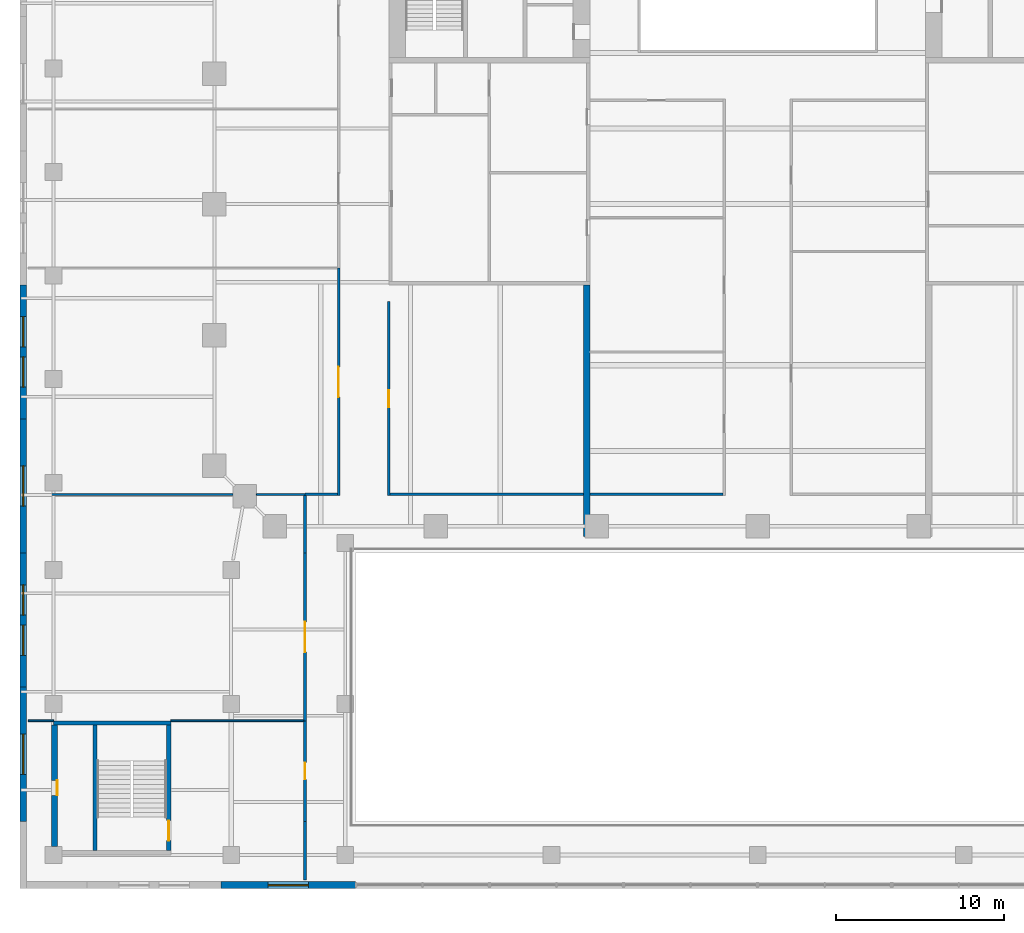
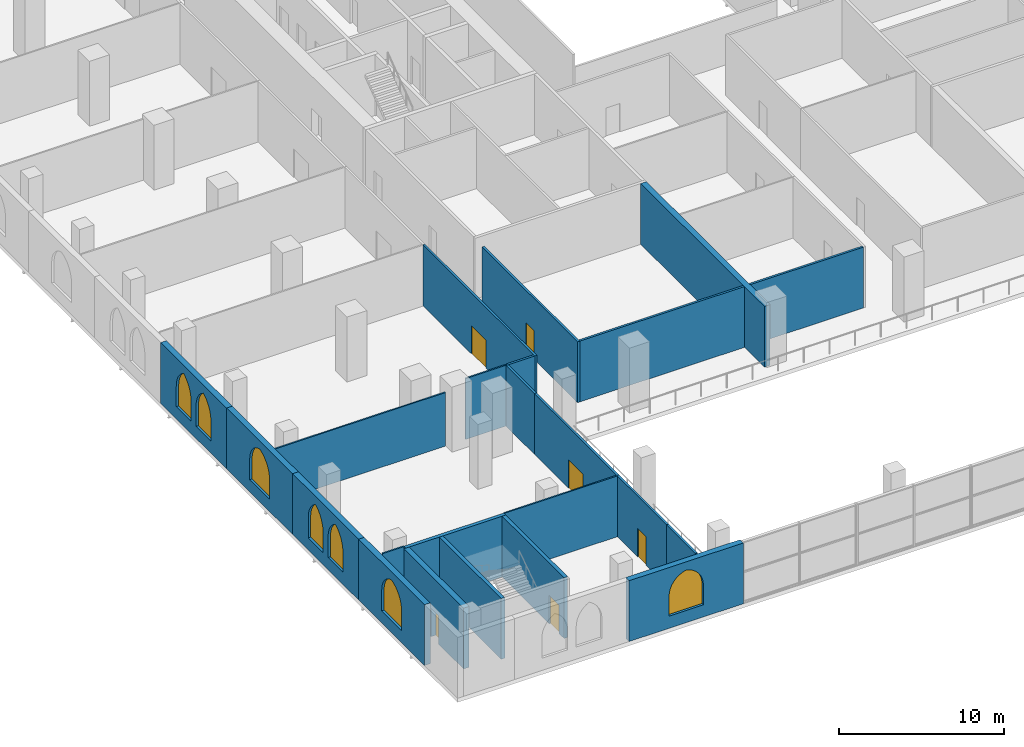
# One storey, part 8 of 19: 23 walls, 7 windows, 6 doors, 13 openings.
"""IFC4 building model written with IfcOpenShell, lengths in metres."""

from ifc_helpers import new_model, si_unit, direction, frame, frame_2d, origin, place, context, subcontext, project, spatial, polyline, rectangle, outline, extrude, material, layer, layer_set, type_object, element, fill, save


model = new_model("IFC4")

# Units and contexts
model_context = context("Model", 3, precision=1e-05, world=origin(), true_north=direction((0.0, 1.0)))
body_context = subcontext(model_context, "Body", "Model", "MODEL_VIEW")
ifc_project = project(units=[si_unit("LENGTHUNIT", "METRE"), si_unit("AREAUNIT", "SQUARE_METRE"), si_unit("VOLUMEUNIT", "CUBIC_METRE"), si_unit("PLANEANGLEUNIT", "RADIAN"), si_unit("MASSUNIT", "GRAM", prefix="KILO")], contexts=[model_context])

# Site, building, storey
site_placement = place(None, origin())
site = spatial("IfcSite", under=ifc_project, at=site_placement, CompositionType="ELEMENT")
building_placement = place(site_placement, origin())
building = spatial("IfcBuilding", under=site, at=building_placement, Name="Ogive Exchange Tower", CompositionType="ELEMENT")
storey_placement = place(building_placement, frame((0.0, 0.0, 24.0)))
storey = spatial("IfcBuildingStorey", under=building, at=storey_placement, Name="L04", CompositionType="ELEMENT", Elevation=24.0)

# Walls
ifc_material_1 = material(Name="Concrete C70/85", Category="concrete")
ifc_layer_1 = layer(ifc_material_1, 0.39990234375)
ifc_layer_set_1 = layer_set([ifc_layer_1], Name="Concrete C70/85 spine wall 400")
wall_type_1 = type_object("IfcWallType", Name="Concrete C70/85 spine wall 400", PredefinedType="SHEAR", material=ifc_layer_set_1)
wall_1_placement = place(storey_placement, frame((-10.199951171875, -31.0, 0.0), z_axis=(0.0, 0.0, 1.0), x_axis=(0.0, 1.0, 0.0)))
element("IfcWall", 1, at=wall_1_placement, inside=storey, type_object=wall_type_1, Name="Spine wall SW", PredefinedType="SHEAR", context=body_context, shape_type="SweptSolid", body=[
    extrude(rectangle(XDim=15.0, YDim=0.39990234375, at=frame_2d((7.5, 0.0))), origin(), (0.0, 0.0, 1.0), 4.5),
])
ifc_material_2 = material(Name="Fire partition EI 60 150")
ifc_layer_2 = layer(ifc_material_2, 0.14990234375)
ifc_layer_set_2 = layer_set([ifc_layer_2], Name="Fire partition EI 60 150")
wall_type_2 = type_object("IfcWallType", Name="Fire partition EI 60 150", PredefinedType="PARTITIONING", material=ifc_layer_set_2)
wall_2_placement = place(storey_placement, frame((-27.0, -28.5, 0.0), z_axis=(0.0, 0.0, 1.0), x_axis=(1.0, 0.0, 0.0)))
element("IfcWall", 2, at=wall_2_placement, inside=storey, type_object=wall_type_2, Name="L04-PWL-007", PredefinedType="PARTITIONING", context=body_context, shape_type="SweptSolid", body=[
    extrude(rectangle(XDim=1.925048828125, YDim=0.14990234375, at=frame_2d((0.96240234375, 0.0))), origin(), (0.0, 0.0, 1.0), 4.5),
])
wall_3_placement = place(storey_placement, frame((-21.925048828125, -28.5, 0.0), z_axis=(0.0, 0.0, 1.0), x_axis=(1.0, 0.0, 0.0)))
element("IfcWall", 3, at=wall_3_placement, inside=storey, type_object=wall_type_2, Name="L04-PWL-008", PredefinedType="PARTITIONING", context=body_context, shape_type="SweptSolid", body=[
    extrude(rectangle(XDim=11.525146484375, YDim=0.14990234375, at=frame_2d((5.7626953125, 0.0))), origin(), (0.0, 0.0, 1.0), 4.5),
])
wall_4_placement = place(storey_placement, frame((-10.0, -28.5, 0.0), z_axis=(0.0, 0.0, 1.0), x_axis=(1.0, 0.0, 0.0)))
element("IfcWall", 4, at=wall_4_placement, inside=storey, type_object=wall_type_2, Name="L04-PWL-009", PredefinedType="PARTITIONING", context=body_context, shape_type="SweptSolid", body=[
    extrude(rectangle(XDim=7.925048828125, YDim=0.14990234375, at=frame_2d((3.96240234375, 0.0))), origin(), (0.0, 0.0, 1.0), 4.5),
])
wall_5_placement = place(storey_placement, frame((-27.0, -51.5, 0.0), z_axis=(0.0, 0.0, 1.0), x_axis=(0.0, 1.0, 0.0)))
element("IfcWall", 5, at=wall_5_placement, inside=storey, type_object=wall_type_2, Name="L04-PWL-040", PredefinedType="PARTITIONING", context=body_context, shape_type="SweptSolid", body=[
    extrude(rectangle(XDim=3.5, YDim=0.14990234375, at=frame_2d((1.75, 0.0))), origin(), (0.0, 0.0, 1.0), 4.5),
])

# Wall, opening, door
wall_6_placement = place(storey_placement, frame((-27.0, -48.0, 0.0), z_axis=(0.0, 0.0, 1.0), x_axis=(0.0, 1.0, 0.0)))
wall_6 = element("IfcWall", 6, at=wall_6_placement, inside=storey, type_object=wall_type_2, Name="L04-PWL-041", PredefinedType="PARTITIONING", context=body_context, shape_type="SweptSolid", body=[
    extrude(rectangle(XDim=6.0, YDim=0.14990234375, at=frame_2d((3.0, 0.0))), origin(), (0.0, 0.0, 1.0), 4.5),
])
opening_1_placement = place(wall_6_placement, frame((2.5, 0.0, 0.0)))
opening_1 = element("IfcOpeningElement", 7, at=opening_1_placement, cuts=wall_6, Name="Opening L04-I14", PredefinedType="OPENING", context=body_context, shape_type="SweptSolid", body=[
    extrude(rectangle(XDim=1.0, YDim=2.10009765625, at=frame_2d((0.5, 1.050048828125))), frame((0.0, 0.0849609375, 0.0), z_axis=(0.0, -1.0, 0.0), x_axis=(1.0, 0.0, 0.0)), (0.0, 0.0, 1.0), 0.169921875),
])
ifc_material_3 = material(Name="Fire door FD 30S 1000 x 2100")
door_type_1 = type_object("IfcDoorType", Name="Fire door FD 30S 1000 x 2100", OperationType="NOTDEFINED", PredefinedType="DOOR", material=ifc_material_3)
door_1_placement = place(opening_1_placement, origin())
door_1 = element("IfcDoor", 8, at=door_1_placement, inside=storey, type_object=door_type_1, Name="L04-IDR-014", ObjectType="DT3", OperationType="SINGLE_SWING_LEFT", OverallHeight=2.10009765625, OverallWidth=1.0, PredefinedType="DOOR", context=body_context, shape_type="SweptSolid", body=[
    extrude(rectangle(XDim=1.0, YDim=2.10009765625, at=frame_2d((0.5, 1.050048828125))), frame((0.0, 0.02490234375, 0.0), z_axis=(0.0, -1.0, 0.0), x_axis=(1.0, 0.0, 0.0)), (0.0, 0.0, 1.0), 0.050048828125),
])
fill(opening_1, door_1)

wall_7_placement = place(storey_placement, frame((-27.0, -42.0, 0.0), z_axis=(0.0, 0.0, 1.0), x_axis=(0.0, 1.0, 0.0)))
wall_7 = element("IfcWall", 9, at=wall_7_placement, inside=storey, type_object=wall_type_2, Name="L04-PWL-042", PredefinedType="PARTITIONING", context=body_context, shape_type="SweptSolid", body=[
    extrude(rectangle(XDim=10.0, YDim=0.14990234375, at=frame_2d((5.0, 0.0))), origin(), (0.0, 0.0, 1.0), 4.5),
])
opening_2_placement = place(wall_7_placement, frame((4.10009765625, 0.0, 0.0)))
opening_2 = element("IfcOpeningElement", 10, at=opening_2_placement, cuts=wall_7, Name="Opening L04-I15", PredefinedType="OPENING", context=body_context, shape_type="SweptSolid", body=[
    extrude(rectangle(XDim=1.800048828125, YDim=2.10009765625, at=frame_2d((0.89990234375, 1.050048828125))), frame((0.0, 0.0849609375, 0.0), z_axis=(0.0, -1.0, 0.0), x_axis=(1.0, 0.0, 0.0)), (0.0, 0.0, 1.0), 0.169921875),
])
ifc_material_4 = material(Name="Fire door FD 30S 1800 x 2100")
door_type_2 = type_object("IfcDoorType", Name="Fire door FD 30S 1800 x 2100", OperationType="DOUBLE_DOOR_SINGLE_SWING", PredefinedType="DOOR", material=ifc_material_4)
door_2_placement = place(opening_2_placement, origin())
door_2 = element("IfcDoor", 11, at=door_2_placement, inside=storey, type_object=door_type_2, Name="L04-IDR-015", ObjectType="DT4", OperationType="SINGLE_SWING_LEFT", OverallHeight=2.10009765625, OverallWidth=1.800048828125, PredefinedType="DOOR", context=body_context, shape_type="SweptSolid", body=[
    extrude(rectangle(XDim=1.800048828125, YDim=2.10009765625, at=frame_2d((0.89990234375, 1.050048828125))), frame((0.0, 0.02490234375, 0.0), z_axis=(0.0, -1.0, 0.0), x_axis=(1.0, 0.0, 0.0)), (0.0, 0.0, 1.0), 0.050048828125),
])
fill(opening_2, door_2)

# Wall
wall_8_placement = place(storey_placement, frame((-27.0, -32.0, 0.0), z_axis=(0.0, 0.0, 1.0), x_axis=(0.0, 1.0, 0.0)))
element("IfcWall", 12, at=wall_8_placement, inside=storey, type_object=wall_type_2, Name="L04-PWL-043", PredefinedType="PARTITIONING", context=body_context, shape_type="SweptSolid", body=[
    extrude(rectangle(XDim=3.425048828125, YDim=0.14990234375, at=frame_2d((1.71240234375, 0.0))), origin(), (0.0, 0.0, 1.0), 4.5),
])

# Wall, opening, door
wall_9_placement = place(storey_placement, frame((-25.0, -28.574951171875, 0.0), z_axis=(0.0, 0.0, 1.0), x_axis=(0.0, 1.0, 0.0)))
wall_9 = element("IfcWall", 13, at=wall_9_placement, inside=storey, type_object=wall_type_2, Name="L04-PWL-044", PredefinedType="PARTITIONING", context=body_context, shape_type="SweptSolid", body=[
    extrude(rectangle(XDim=13.574951171875, YDim=0.14990234375, at=frame_2d((6.78759765625, 0.0))), origin(), (0.0, 0.0, 1.0), 4.5),
])
opening_3_placement = place(wall_9_placement, frame((5.887451171875, 0.0, 0.0)))
opening_3 = element("IfcOpeningElement", 14, at=opening_3_placement, cuts=wall_9, Name="Opening L04-I03", PredefinedType="OPENING", context=body_context, shape_type="SweptSolid", body=[
    extrude(rectangle(XDim=1.800048828125, YDim=2.10009765625, at=frame_2d((0.89990234375, 1.050048828125))), frame((0.0, 0.0849609375, 0.0), z_axis=(0.0, -1.0, 0.0), x_axis=(1.0, 0.0, 0.0)), (0.0, 0.0, 1.0), 0.169921875),
])
door_3_placement = place(opening_3_placement, origin())
door_3 = element("IfcDoor", 15, at=door_3_placement, inside=storey, type_object=door_type_2, Name="L04-IDR-003", ObjectType="DT4", OperationType="SINGLE_SWING_LEFT", OverallHeight=2.10009765625, OverallWidth=1.800048828125, PredefinedType="DOOR", context=body_context, shape_type="SweptSolid", body=[
    extrude(rectangle(XDim=1.800048828125, YDim=2.10009765625, at=frame_2d((0.89990234375, 1.050048828125))), frame((0.0, 0.02490234375, 0.0), z_axis=(0.0, -1.0, 0.0), x_axis=(1.0, 0.0, 0.0)), (0.0, 0.0, 1.0), 0.050048828125),
])
fill(opening_3, door_3)

wall_10_placement = place(storey_placement, frame((-22.0, -28.574951171875, 0.0), z_axis=(0.0, 0.0, 1.0), x_axis=(0.0, 1.0, 0.0)))
wall_10 = element("IfcWall", 16, at=wall_10_placement, inside=storey, type_object=wall_type_2, Name="L04-PWL-050", PredefinedType="PARTITIONING", context=body_context, shape_type="SweptSolid", body=[
    extrude(rectangle(XDim=11.574951171875, YDim=0.14990234375, at=frame_2d((5.78759765625, 0.0))), origin(), (0.0, 0.0, 1.0), 4.5),
])
opening_4_placement = place(wall_10_placement, frame((5.28759765625, 0.0, 0.0)))
opening_4 = element("IfcOpeningElement", 17, at=opening_4_placement, cuts=wall_10, Name="Opening L04-I18", PredefinedType="OPENING", context=body_context, shape_type="SweptSolid", body=[
    extrude(rectangle(XDim=1.0, YDim=2.10009765625, at=frame_2d((0.5, 1.050048828125))), frame((0.0, 0.0849609375, 0.0), z_axis=(0.0, -1.0, 0.0), x_axis=(1.0, 0.0, 0.0)), (0.0, 0.0, 1.0), 0.169921875),
])
door_4_placement = place(opening_4_placement, frame((1.0, 0.0, 0.0), z_axis=(0.0, 0.0, 1.0), x_axis=(-1.0, 0.0, 0.0)))
door_4 = element("IfcDoor", 18, at=door_4_placement, inside=storey, type_object=door_type_1, Name="L04-IDR-018", ObjectType="DT3", OperationType="SINGLE_SWING_LEFT", OverallHeight=2.10009765625, OverallWidth=1.0, PredefinedType="DOOR", context=body_context, shape_type="SweptSolid", body=[
    extrude(rectangle(XDim=1.0, YDim=2.10009765625, at=frame_2d((0.5, 1.050048828125))), frame((0.0, 0.02490234375, 0.0), z_axis=(0.0, -1.0, 0.0), x_axis=(1.0, 0.0, 0.0)), (0.0, 0.0, 1.0), 0.050048828125),
])
fill(opening_4, door_4)

# Wall, opening, window
ifc_material_5 = material(Name="Precast concrete C40/50", Category="concrete")
ifc_layer_3 = layer(ifc_material_5, 0.39990234375)
ifc_layer_set_3 = layer_set([ifc_layer_3], Name="Limestone-faced wall 400")
wall_type_3 = type_object("IfcWallType", Name="Limestone-faced wall 400", PredefinedType="STANDARD", material=ifc_layer_set_3)
wall_11_placement = place(storey_placement, frame((-32.0, -51.800048828125, 0.0), z_axis=(0.0, 0.0, 1.0), x_axis=(1.0, 0.0, 0.0)))
wall_11 = element("IfcWall", 19, at=wall_11_placement, inside=storey, type_object=wall_type_3, Name="Podium wall S3", PredefinedType="STANDARD", context=body_context, shape_type="SweptSolid", body=[
    extrude(rectangle(XDim=8.0, YDim=0.39990234375, at=frame_2d((4.0, 0.0))), origin(), (0.0, 0.0, 1.0), 4.5),
])
opening_5_placement = place(wall_11_placement, frame((2.800048828125, 0.0, 0.89990234375)))
opening_5 = element("IfcOpeningElement", 20, at=opening_5_placement, cuts=wall_11, Name="Opening WP300", PredefinedType="OPENING", context=body_context, shape_type="SweptSolid", body=[
    extrude(outline(polyline([(0.0, 0.0), (2.39990234375, 0.0), (2.39990234375, 1.5), (2.378173828125, 1.758056640625), (2.313232421875, 2.009033203125), (2.207275390625, 2.245361328125), (2.06298828125, 2.46044921875), (1.884765625, 2.6484375), (1.677490234375, 2.8037109375), (1.447021484375, 2.922119140625), (1.199951171875, 3.0), (0.952880859375, 2.922119140625), (0.722412109375, 2.8037109375), (0.51513671875, 2.6484375), (0.3369140625, 2.46044921875), (0.192626953125, 2.245361328125), (0.086669921875, 2.009033203125), (0.021728515625, 1.758056640625), (0.0, 1.5), (0.0, 0.0)])), frame((0.0, 0.2099609375, 0.0), z_axis=(0.0, -1.0, 0.0), x_axis=(1.0, 0.0, 0.0)), (0.0, 0.0, 1.0), 0.419921875),
])
ifc_material_6 = material(Name="Clear glass in bronze frame", Category="glass")
window_type_1 = type_object("IfcWindowType", Name="Podium lancet window 2400 x 3000", PartitioningType="DOUBLE_PANEL_VERTICAL", PredefinedType="WINDOW", material=ifc_material_6)
window_1_placement = place(opening_5_placement, origin())
window_1 = element("IfcWindow", 21, at=window_1_placement, inside=storey, type_object=window_type_1, Name="Podium window S3", OverallHeight=3.0, OverallWidth=2.39990234375, PartitioningType="DOUBLE_PANEL_VERTICAL", PredefinedType="WINDOW", context=body_context, shape_type="SweptSolid", body=[
    extrude(outline(polyline([(0.0, 0.0), (2.39990234375, 0.0), (2.39990234375, 1.5), (2.378173828125, 1.758056640625), (2.313232421875, 2.009033203125), (2.207275390625, 2.245361328125), (2.06298828125, 2.46044921875), (1.884765625, 2.6484375), (1.677490234375, 2.8037109375), (1.447021484375, 2.922119140625), (1.199951171875, 3.0), (0.952880859375, 2.922119140625), (0.722412109375, 2.8037109375), (0.51513671875, 2.6484375), (0.3369140625, 2.46044921875), (0.192626953125, 2.245361328125), (0.086669921875, 2.009033203125), (0.021728515625, 1.758056640625), (0.0, 1.5), (0.0, 0.0)])), frame((0.0, 0.030029296875, 0.0), z_axis=(0.0, -1.0, 0.0), x_axis=(1.0, 0.0, 0.0)), (0.0, 0.0, 1.0), 0.06005859375),
])
fill(opening_5, window_1)

# Wall, openings, windows
wall_12_placement = place(storey_placement, frame((-43.800048828125, -16.0, 0.0), z_axis=(0.0, 0.0, 1.0), x_axis=(0.0, -1.0, 0.0)))
wall_12 = element("IfcWall", 22, at=wall_12_placement, inside=storey, type_object=wall_type_3, Name="Podium wall W8", PredefinedType="STANDARD", context=body_context, shape_type="SweptSolid", body=[
    extrude(rectangle(XDim=8.0, YDim=0.39990234375, at=frame_2d((4.0, 0.0))), origin(), (0.0, 0.0, 1.0), 4.5),
])
opening_6_placement = place(wall_12_placement, frame((1.89990234375, 0.0, 0.89990234375)))
opening_6 = element("IfcOpeningElement", 23, at=opening_6_placement, cuts=wall_12, Name="Opening WQ300", PredefinedType="OPENING", context=body_context, shape_type="SweptSolid", body=[
    extrude(outline(polyline([(0.0, 0.0), (1.800048828125, 0.0), (1.800048828125, 1.5), (1.78466796875, 1.72900390625), (1.73828125, 1.953857421875), (1.662353515625, 2.17041015625), (1.557861328125, 2.374755859375), (1.4267578125, 2.56298828125), (1.271484375, 2.73193359375), (1.0947265625, 2.878662109375), (0.89990234375, 3.0), (0.705322265625, 2.878662109375), (0.528564453125, 2.73193359375), (0.373291015625, 2.56298828125), (0.2421875, 2.374755859375), (0.1376953125, 2.17041015625), (0.061767578125, 1.953857421875), (0.015380859375, 1.72900390625), (0.0, 1.5), (0.0, 0.0)])), frame((0.0, 0.2099609375, 0.0), z_axis=(0.0, -1.0, 0.0), x_axis=(1.0, 0.0, 0.0)), (0.0, 0.0, 1.0), 0.419921875),
])
opening_7_placement = place(wall_12_placement, frame((4.300048828125, 0.0, 0.89990234375)))
opening_7 = element("IfcOpeningElement", 24, at=opening_7_placement, cuts=wall_12, Name="Opening WQ300", PredefinedType="OPENING", context=body_context, shape_type="SweptSolid", body=[
    extrude(outline(polyline([(0.0, 0.0), (1.800048828125, 0.0), (1.800048828125, 1.5), (1.78466796875, 1.72900390625), (1.73828125, 1.953857421875), (1.662353515625, 2.17041015625), (1.557861328125, 2.374755859375), (1.4267578125, 2.56298828125), (1.271484375, 2.73193359375), (1.0947265625, 2.878662109375), (0.89990234375, 3.0), (0.705322265625, 2.878662109375), (0.528564453125, 2.73193359375), (0.373291015625, 2.56298828125), (0.2421875, 2.374755859375), (0.1376953125, 2.17041015625), (0.061767578125, 1.953857421875), (0.015380859375, 1.72900390625), (0.0, 1.5), (0.0, 0.0)])), frame((0.0, 0.2099609375, 0.0), z_axis=(0.0, -1.0, 0.0), x_axis=(1.0, 0.0, 0.0)), (0.0, 0.0, 1.0), 0.419921875),
])
window_type_2 = type_object("IfcWindowType", Name="Podium paired lancet 1800 x 3000", PartitioningType="DOUBLE_PANEL_VERTICAL", PredefinedType="WINDOW", material=ifc_material_6)
window_2_placement = place(opening_6_placement, origin())
window_2 = element("IfcWindow", 25, at=window_2_placement, inside=storey, type_object=window_type_2, Name="Podium paired lancet W8.1", OverallHeight=3.0, OverallWidth=1.800048828125, PartitioningType="DOUBLE_PANEL_VERTICAL", PredefinedType="WINDOW", context=body_context, shape_type="SweptSolid", body=[
    extrude(outline(polyline([(0.0, 0.0), (1.800048828125, 0.0), (1.800048828125, 1.5), (1.78466796875, 1.72900390625), (1.73828125, 1.953857421875), (1.662353515625, 2.17041015625), (1.557861328125, 2.374755859375), (1.4267578125, 2.56298828125), (1.271484375, 2.73193359375), (1.0947265625, 2.878662109375), (0.89990234375, 3.0), (0.705322265625, 2.878662109375), (0.528564453125, 2.73193359375), (0.373291015625, 2.56298828125), (0.2421875, 2.374755859375), (0.1376953125, 2.17041015625), (0.061767578125, 1.953857421875), (0.015380859375, 1.72900390625), (0.0, 1.5), (0.0, 0.0)])), frame((0.0, 0.030029296875, 0.0), z_axis=(0.0, -1.0, 0.0), x_axis=(1.0, 0.0, 0.0)), (0.0, 0.0, 1.0), 0.06005859375),
])
fill(opening_6, window_2)
window_3_placement = place(opening_7_placement, origin())
window_3 = element("IfcWindow", 26, at=window_3_placement, inside=storey, type_object=window_type_2, Name="Podium paired lancet W8.2", OverallHeight=3.0, OverallWidth=1.800048828125, PartitioningType="DOUBLE_PANEL_VERTICAL", PredefinedType="WINDOW", context=body_context, shape_type="SweptSolid", body=[
    extrude(outline(polyline([(0.0, 0.0), (1.800048828125, 0.0), (1.800048828125, 1.5), (1.78466796875, 1.72900390625), (1.73828125, 1.953857421875), (1.662353515625, 2.17041015625), (1.557861328125, 2.374755859375), (1.4267578125, 2.56298828125), (1.271484375, 2.73193359375), (1.0947265625, 2.878662109375), (0.89990234375, 3.0), (0.705322265625, 2.878662109375), (0.528564453125, 2.73193359375), (0.373291015625, 2.56298828125), (0.2421875, 2.374755859375), (0.1376953125, 2.17041015625), (0.061767578125, 1.953857421875), (0.015380859375, 1.72900390625), (0.0, 1.5), (0.0, 0.0)])), frame((0.0, 0.030029296875, 0.0), z_axis=(0.0, -1.0, 0.0), x_axis=(1.0, 0.0, 0.0)), (0.0, 0.0, 1.0), 0.06005859375),
])
fill(opening_7, window_3)

# Wall, opening, window
wall_13_placement = place(storey_placement, frame((-43.800048828125, -24.0, 0.0), z_axis=(0.0, 0.0, 1.0), x_axis=(0.0, -1.0, 0.0)))
wall_13 = element("IfcWall", 27, at=wall_13_placement, inside=storey, type_object=wall_type_3, Name="Podium wall W9", PredefinedType="STANDARD", context=body_context, shape_type="SweptSolid", body=[
    extrude(rectangle(XDim=8.0, YDim=0.39990234375, at=frame_2d((4.0, 0.0))), origin(), (0.0, 0.0, 1.0), 4.5),
])
opening_8_placement = place(wall_13_placement, frame((2.800048828125, 0.0, 0.89990234375)))
opening_8 = element("IfcOpeningElement", 28, at=opening_8_placement, cuts=wall_13, Name="Opening WP300", PredefinedType="OPENING", context=body_context, shape_type="SweptSolid", body=[
    extrude(outline(polyline([(0.0, 0.0), (2.39990234375, 0.0), (2.39990234375, 1.5), (2.378173828125, 1.758056640625), (2.313232421875, 2.009033203125), (2.207275390625, 2.245361328125), (2.06298828125, 2.46044921875), (1.884765625, 2.6484375), (1.677490234375, 2.8037109375), (1.447021484375, 2.922119140625), (1.199951171875, 3.0), (0.952880859375, 2.922119140625), (0.722412109375, 2.8037109375), (0.51513671875, 2.6484375), (0.3369140625, 2.46044921875), (0.192626953125, 2.245361328125), (0.086669921875, 2.009033203125), (0.021728515625, 1.758056640625), (0.0, 1.5), (0.0, 0.0)])), frame((0.0, 0.2099609375, 0.0), z_axis=(0.0, -1.0, 0.0), x_axis=(1.0, 0.0, 0.0)), (0.0, 0.0, 1.0), 0.419921875),
])
window_4_placement = place(opening_8_placement, origin())
window_4 = element("IfcWindow", 29, at=window_4_placement, inside=storey, type_object=window_type_1, Name="Podium window W9", OverallHeight=3.0, OverallWidth=2.39990234375, PartitioningType="DOUBLE_PANEL_VERTICAL", PredefinedType="WINDOW", context=body_context, shape_type="SweptSolid", body=[
    extrude(outline(polyline([(0.0, 0.0), (2.39990234375, 0.0), (2.39990234375, 1.5), (2.378173828125, 1.758056640625), (2.313232421875, 2.009033203125), (2.207275390625, 2.245361328125), (2.06298828125, 2.46044921875), (1.884765625, 2.6484375), (1.677490234375, 2.8037109375), (1.447021484375, 2.922119140625), (1.199951171875, 3.0), (0.952880859375, 2.922119140625), (0.722412109375, 2.8037109375), (0.51513671875, 2.6484375), (0.3369140625, 2.46044921875), (0.192626953125, 2.245361328125), (0.086669921875, 2.009033203125), (0.021728515625, 1.758056640625), (0.0, 1.5), (0.0, 0.0)])), frame((0.0, 0.030029296875, 0.0), z_axis=(0.0, -1.0, 0.0), x_axis=(1.0, 0.0, 0.0)), (0.0, 0.0, 1.0), 0.06005859375),
])
fill(opening_8, window_4)

# Wall, openings, windows
wall_14_placement = place(storey_placement, frame((-43.800048828125, -32.0, 0.0), z_axis=(0.0, 0.0, 1.0), x_axis=(0.0, -1.0, 0.0)))
wall_14 = element("IfcWall", 30, at=wall_14_placement, inside=storey, type_object=wall_type_3, Name="Podium wall W10", PredefinedType="STANDARD", context=body_context, shape_type="SweptSolid", body=[
    extrude(rectangle(XDim=8.0, YDim=0.39990234375, at=frame_2d((4.0, 0.0))), origin(), (0.0, 0.0, 1.0), 4.5),
])
opening_9_placement = place(wall_14_placement, frame((1.89990234375, 0.0, 0.89990234375)))
opening_9 = element("IfcOpeningElement", 31, at=opening_9_placement, cuts=wall_14, Name="Opening WQ300", PredefinedType="OPENING", context=body_context, shape_type="SweptSolid", body=[
    extrude(outline(polyline([(0.0, 0.0), (1.800048828125, 0.0), (1.800048828125, 1.5), (1.78466796875, 1.72900390625), (1.73828125, 1.953857421875), (1.662353515625, 2.17041015625), (1.557861328125, 2.374755859375), (1.4267578125, 2.56298828125), (1.271484375, 2.73193359375), (1.0947265625, 2.878662109375), (0.89990234375, 3.0), (0.705322265625, 2.878662109375), (0.528564453125, 2.73193359375), (0.373291015625, 2.56298828125), (0.2421875, 2.374755859375), (0.1376953125, 2.17041015625), (0.061767578125, 1.953857421875), (0.015380859375, 1.72900390625), (0.0, 1.5), (0.0, 0.0)])), frame((0.0, 0.2099609375, 0.0), z_axis=(0.0, -1.0, 0.0), x_axis=(1.0, 0.0, 0.0)), (0.0, 0.0, 1.0), 0.419921875),
])
opening_10_placement = place(wall_14_placement, frame((4.300048828125, 0.0, 0.89990234375)))
opening_10 = element("IfcOpeningElement", 32, at=opening_10_placement, cuts=wall_14, Name="Opening WQ300", PredefinedType="OPENING", context=body_context, shape_type="SweptSolid", body=[
    extrude(outline(polyline([(0.0, 0.0), (1.800048828125, 0.0), (1.800048828125, 1.5), (1.78466796875, 1.72900390625), (1.73828125, 1.953857421875), (1.662353515625, 2.17041015625), (1.557861328125, 2.374755859375), (1.4267578125, 2.56298828125), (1.271484375, 2.73193359375), (1.0947265625, 2.878662109375), (0.89990234375, 3.0), (0.705322265625, 2.878662109375), (0.528564453125, 2.73193359375), (0.373291015625, 2.56298828125), (0.2421875, 2.374755859375), (0.1376953125, 2.17041015625), (0.061767578125, 1.953857421875), (0.015380859375, 1.72900390625), (0.0, 1.5), (0.0, 0.0)])), frame((0.0, 0.2099609375, 0.0), z_axis=(0.0, -1.0, 0.0), x_axis=(1.0, 0.0, 0.0)), (0.0, 0.0, 1.0), 0.419921875),
])
window_5_placement = place(opening_9_placement, origin())
window_5 = element("IfcWindow", 33, at=window_5_placement, inside=storey, type_object=window_type_2, Name="Podium paired lancet W10.1", OverallHeight=3.0, OverallWidth=1.800048828125, PartitioningType="DOUBLE_PANEL_VERTICAL", PredefinedType="WINDOW", context=body_context, shape_type="SweptSolid", body=[
    extrude(outline(polyline([(0.0, 0.0), (1.800048828125, 0.0), (1.800048828125, 1.5), (1.78466796875, 1.72900390625), (1.73828125, 1.953857421875), (1.662353515625, 2.17041015625), (1.557861328125, 2.374755859375), (1.4267578125, 2.56298828125), (1.271484375, 2.73193359375), (1.0947265625, 2.878662109375), (0.89990234375, 3.0), (0.705322265625, 2.878662109375), (0.528564453125, 2.73193359375), (0.373291015625, 2.56298828125), (0.2421875, 2.374755859375), (0.1376953125, 2.17041015625), (0.061767578125, 1.953857421875), (0.015380859375, 1.72900390625), (0.0, 1.5), (0.0, 0.0)])), frame((0.0, 0.030029296875, 0.0), z_axis=(0.0, -1.0, 0.0), x_axis=(1.0, 0.0, 0.0)), (0.0, 0.0, 1.0), 0.06005859375),
])
fill(opening_9, window_5)
window_6_placement = place(opening_10_placement, origin())
window_6 = element("IfcWindow", 34, at=window_6_placement, inside=storey, type_object=window_type_2, Name="Podium paired lancet W10.2", OverallHeight=3.0, OverallWidth=1.800048828125, PartitioningType="DOUBLE_PANEL_VERTICAL", PredefinedType="WINDOW", context=body_context, shape_type="SweptSolid", body=[
    extrude(outline(polyline([(0.0, 0.0), (1.800048828125, 0.0), (1.800048828125, 1.5), (1.78466796875, 1.72900390625), (1.73828125, 1.953857421875), (1.662353515625, 2.17041015625), (1.557861328125, 2.374755859375), (1.4267578125, 2.56298828125), (1.271484375, 2.73193359375), (1.0947265625, 2.878662109375), (0.89990234375, 3.0), (0.705322265625, 2.878662109375), (0.528564453125, 2.73193359375), (0.373291015625, 2.56298828125), (0.2421875, 2.374755859375), (0.1376953125, 2.17041015625), (0.061767578125, 1.953857421875), (0.015380859375, 1.72900390625), (0.0, 1.5), (0.0, 0.0)])), frame((0.0, 0.030029296875, 0.0), z_axis=(0.0, -1.0, 0.0), x_axis=(1.0, 0.0, 0.0)), (0.0, 0.0, 1.0), 0.06005859375),
])
fill(opening_10, window_6)

# Wall, opening, window
wall_15_placement = place(storey_placement, frame((-43.800048828125, -40.0, 0.0), z_axis=(0.0, 0.0, 1.0), x_axis=(0.0, -1.0, 0.0)))
wall_15 = element("IfcWall", 35, at=wall_15_placement, inside=storey, type_object=wall_type_3, Name="Podium wall W11", PredefinedType="STANDARD", context=body_context, shape_type="SweptSolid", body=[
    extrude(rectangle(XDim=8.0, YDim=0.39990234375, at=frame_2d((4.0, 0.0))), origin(), (0.0, 0.0, 1.0), 4.5),
])
opening_11_placement = place(wall_15_placement, frame((2.800048828125, 0.0, 0.89990234375)))
opening_11 = element("IfcOpeningElement", 36, at=opening_11_placement, cuts=wall_15, Name="Opening WP300", PredefinedType="OPENING", context=body_context, shape_type="SweptSolid", body=[
    extrude(outline(polyline([(0.0, 0.0), (2.39990234375, 0.0), (2.39990234375, 1.5), (2.378173828125, 1.758056640625), (2.313232421875, 2.009033203125), (2.207275390625, 2.245361328125), (2.06298828125, 2.46044921875), (1.884765625, 2.6484375), (1.677490234375, 2.8037109375), (1.447021484375, 2.922119140625), (1.199951171875, 3.0), (0.952880859375, 2.922119140625), (0.722412109375, 2.8037109375), (0.51513671875, 2.6484375), (0.3369140625, 2.46044921875), (0.192626953125, 2.245361328125), (0.086669921875, 2.009033203125), (0.021728515625, 1.758056640625), (0.0, 1.5), (0.0, 0.0)])), frame((0.0, 0.2099609375, 0.0), z_axis=(0.0, -1.0, 0.0), x_axis=(1.0, 0.0, 0.0)), (0.0, 0.0, 1.0), 0.419921875),
])
window_7_placement = place(opening_11_placement, origin())
window_7 = element("IfcWindow", 37, at=window_7_placement, inside=storey, type_object=window_type_1, Name="Podium window W11", OverallHeight=3.0, OverallWidth=2.39990234375, PartitioningType="DOUBLE_PANEL_VERTICAL", PredefinedType="WINDOW", context=body_context, shape_type="SweptSolid", body=[
    extrude(outline(polyline([(0.0, 0.0), (2.39990234375, 0.0), (2.39990234375, 1.5), (2.378173828125, 1.758056640625), (2.313232421875, 2.009033203125), (2.207275390625, 2.245361328125), (2.06298828125, 2.46044921875), (1.884765625, 2.6484375), (1.677490234375, 2.8037109375), (1.447021484375, 2.922119140625), (1.199951171875, 3.0), (0.952880859375, 2.922119140625), (0.722412109375, 2.8037109375), (0.51513671875, 2.6484375), (0.3369140625, 2.46044921875), (0.192626953125, 2.245361328125), (0.086669921875, 2.009033203125), (0.021728515625, 1.758056640625), (0.0, 1.5), (0.0, 0.0)])), frame((0.0, 0.030029296875, 0.0), z_axis=(0.0, -1.0, 0.0), x_axis=(1.0, 0.0, 0.0)), (0.0, 0.0, 1.0), 0.06005859375),
])
fill(opening_11, window_7)

# Walls
ifc_material_7 = material(Name="Partition 100 gypsum")
ifc_layer_4 = layer(ifc_material_7, 0.10009765625)
ifc_layer_set_4 = layer_set([ifc_layer_4], Name="Partition 100 gypsum")
wall_type_4 = type_object("IfcWallType", Name="Partition 100 gypsum", PredefinedType="PARTITIONING", material=ifc_layer_set_4)
wall_16_placement = place(storey_placement, frame((-43.5, -42.0, 0.0), z_axis=(0.0, 0.0, 1.0), x_axis=(1.0, 0.0, 0.0)))
element("IfcWall", 38, at=wall_16_placement, inside=storey, type_object=wall_type_4, Name="L04-PWL-001", PredefinedType="PARTITIONING", context=body_context, shape_type="SweptSolid", body=[
    extrude(rectangle(XDim=1.5, YDim=0.10009765625, at=frame_2d((0.75, 0.0))), origin(), (0.0, 0.0, 1.0), 4.5),
])
wall_17_placement = place(storey_placement, frame((-35.0, -42.0, 0.0), z_axis=(0.0, 0.0, 1.0), x_axis=(1.0, 0.0, 0.0)))
element("IfcWall", 39, at=wall_17_placement, inside=storey, type_object=wall_type_4, Name="L04-PWL-002", PredefinedType="PARTITIONING", context=body_context, shape_type="SweptSolid", body=[
    extrude(rectangle(XDim=7.925048828125, YDim=0.10009765625, at=frame_2d((3.96240234375, 0.0))), origin(), (0.0, 0.0, 1.0), 4.5),
])
wall_18_placement = place(storey_placement, frame((-43.5, -28.5, 0.0), z_axis=(0.0, 0.0, 1.0), x_axis=(1.0, 0.0, 0.0)))
element("IfcWall", 40, at=wall_18_placement, inside=storey, type_object=wall_type_4, Name="L04-PWL-005", PredefinedType="PARTITIONING", context=body_context, shape_type="SweptSolid", body=[
    extrude(rectangle(XDim=12.199951171875, YDim=0.10009765625, at=frame_2d((6.10009765625, 0.0))), origin(), (0.0, 0.0, 1.0), 3.964111328125),
])
wall_19_placement = place(storey_placement, frame((-29.89990234375, -28.5, 0.0), z_axis=(0.0, 0.0, 1.0), x_axis=(1.0, 0.0, 0.0)))
element("IfcWall", 41, at=wall_19_placement, inside=storey, type_object=wall_type_4, Name="L04-PWL-006", PredefinedType="PARTITIONING", context=body_context, shape_type="SweptSolid", body=[
    extrude(rectangle(XDim=2.89990234375, YDim=0.10009765625, at=frame_2d((1.449951171875, 0.0))), origin(), (0.0, 0.0, 1.0), 4.5),
])
ifc_layer_5 = layer(ifc_material_1, 0.25)
ifc_layer_set_5 = layer_set([ifc_layer_5], Name="RC core wall 250 C70/85")
wall_type_5 = type_object("IfcWallType", Name="RC core wall 250 C70/85", PredefinedType="SHEAR", material=ifc_layer_set_5)
wall_20_placement = place(storey_placement, frame((-42.0, -42.125, 0.0), z_axis=(0.0, 0.0, 1.0), x_axis=(1.0, 0.0, 0.0)))
element("IfcWall", 42, at=wall_20_placement, inside=storey, type_object=wall_type_5, Name="PS1 north wall", PredefinedType="SHEAR", context=body_context, shape_type="SweptSolid", body=[
    extrude(rectangle(XDim=7.0, YDim=0.25, at=frame_2d((3.5, 0.0))), origin(), (0.0, 0.0, 1.0), 4.5),
])

# Wall, opening, door
wall_21_placement = place(storey_placement, frame((-35.125, -49.75, 0.0), z_axis=(0.0, 0.0, 1.0), x_axis=(0.0, 1.0, 0.0)))
wall_21 = element("IfcWall", 43, at=wall_21_placement, inside=storey, type_object=wall_type_5, Name="PS1 east wall", PredefinedType="SHEAR", context=body_context, shape_type="SweptSolid", body=[
    extrude(rectangle(XDim=7.5, YDim=0.25, at=frame_2d((3.75, 0.0))), origin(), (0.0, 0.0, 1.0), 4.5),
])
opening_12_placement = place(wall_21_placement, frame((0.60009765625, 0.0, 0.0)))
opening_12 = element("IfcOpeningElement", 44, at=opening_12_placement, cuts=wall_21, Name="Opening L04-C44", PredefinedType="OPENING", context=body_context, shape_type="SweptSolid", body=[
    extrude(rectangle(XDim=1.199951171875, YDim=2.10009765625, at=frame_2d((0.60009765625, 1.050048828125))), frame((0.0, 0.135009765625, 0.0), z_axis=(0.0, -1.0, 0.0), x_axis=(1.0, 0.0, 0.0)), (0.0, 0.0, 1.0), 0.27001953125),
])
ifc_material_8 = material(Name="Steel fire door", Category="steel")
door_type_3 = type_object("IfcDoorType", Name="Stair door FD90 1200 x 2100", OperationType="NOTDEFINED", PredefinedType="DOOR", material=ifc_material_8)
door_5_placement = place(opening_12_placement, origin())
door_5 = element("IfcDoor", 45, at=door_5_placement, inside=storey, type_object=door_type_3, Name="Stair door", ObjectType="CD5", OperationType="SINGLE_SWING_RIGHT", OverallHeight=2.10009765625, OverallWidth=1.199951171875, PredefinedType="DOOR", context=body_context, shape_type="SweptSolid", body=[
    extrude(rectangle(XDim=1.199951171875, YDim=2.10009765625, at=frame_2d((0.60009765625, 1.050048828125))), frame((0.0, 0.02490234375, 0.0), z_axis=(0.0, -1.0, 0.0), x_axis=(1.0, 0.0, 0.0)), (0.0, 0.0, 1.0), 0.050048828125),
])
fill(opening_12, door_5)

# Wall
wall_22_placement = place(storey_placement, frame((-39.52490234375, -49.75, 0.0), z_axis=(0.0, 0.0, 1.0), x_axis=(0.0, 1.0, 0.0)))
element("IfcWall", 46, at=wall_22_placement, inside=storey, type_object=wall_type_5, Name="PS1 partition wall", PredefinedType="SHEAR", context=body_context, shape_type="SweptSolid", body=[
    extrude(rectangle(XDim=7.5, YDim=0.25, at=frame_2d((3.75, 0.0))), origin(), (0.0, 0.0, 1.0), 4.5),
])

# Wall, opening, door
ifc_layer_6 = layer(ifc_material_1, 0.383544921875)
ifc_layer_set_6 = layer_set([ifc_layer_6], Name="RC core wall 384 C70/85")
wall_type_6 = type_object("IfcWallType", Name="RC core wall 384 C70/85", PredefinedType="SHEAR", material=ifc_layer_set_6)
wall_23_placement = place(storey_placement, frame((-41.941650390625, -49.5, 0.0), z_axis=(0.0, 0.0, 1.0), x_axis=(0.0, 1.0, 0.0)))
wall_23 = element("IfcWall", 47, at=wall_23_placement, inside=storey, type_object=wall_type_6, Name="PS1 west wall", PredefinedType="SHEAR", context=body_context, shape_type="SweptSolid", body=[
    extrude(rectangle(XDim=7.25, YDim=0.383544921875, at=frame_2d((3.625, 0.0))), origin(), (0.0, 0.0, 1.0), 4.5),
])
opening_13_placement = place(wall_23_placement, frame((3.050048828125, 0.0, 0.0)))
opening_13 = element("IfcOpeningElement", 48, at=opening_13_placement, cuts=wall_23, Name="Opening L04-C45", PredefinedType="OPENING", context=body_context, shape_type="SweptSolid", body=[
    extrude(rectangle(XDim=0.89990234375, YDim=2.10009765625, at=frame_2d((0.449951171875, 1.050048828125))), frame((0.0, 0.20166015625, 0.0), z_axis=(0.0, -1.0, 0.0), x_axis=(1.0, 0.0, 0.0)), (0.0, 0.0, 1.0), 0.403564453125),
])
door_type_4 = type_object("IfcDoorType", Name="Riser door FD60 900 x 2100", OperationType="NOTDEFINED", PredefinedType="DOOR", material=ifc_material_8)
door_6_placement = place(opening_13_placement, origin())
door_6 = element("IfcDoor", 49, at=door_6_placement, inside=storey, type_object=door_type_4, Name="Riser door", ObjectType="CD2", OperationType="SINGLE_SWING_LEFT", OverallHeight=2.10009765625, OverallWidth=0.89990234375, PredefinedType="DOOR", context=body_context, shape_type="SweptSolid", body=[
    extrude(rectangle(XDim=0.89990234375, YDim=2.10009765625, at=frame_2d((0.449951171875, 1.050048828125))), frame((0.0, -0.1416015625, 0.0), z_axis=(0.0, -1.0, 0.0), x_axis=(1.0, 0.0, 0.0)), (0.0, 0.0, 1.0), 0.050048828125),
])
fill(opening_13, door_6)

save(model, "model.ifc")
